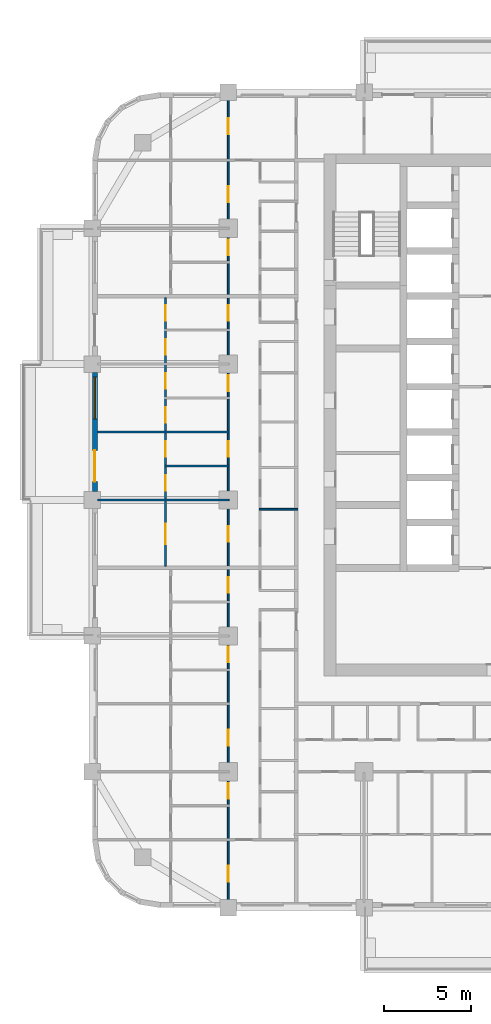
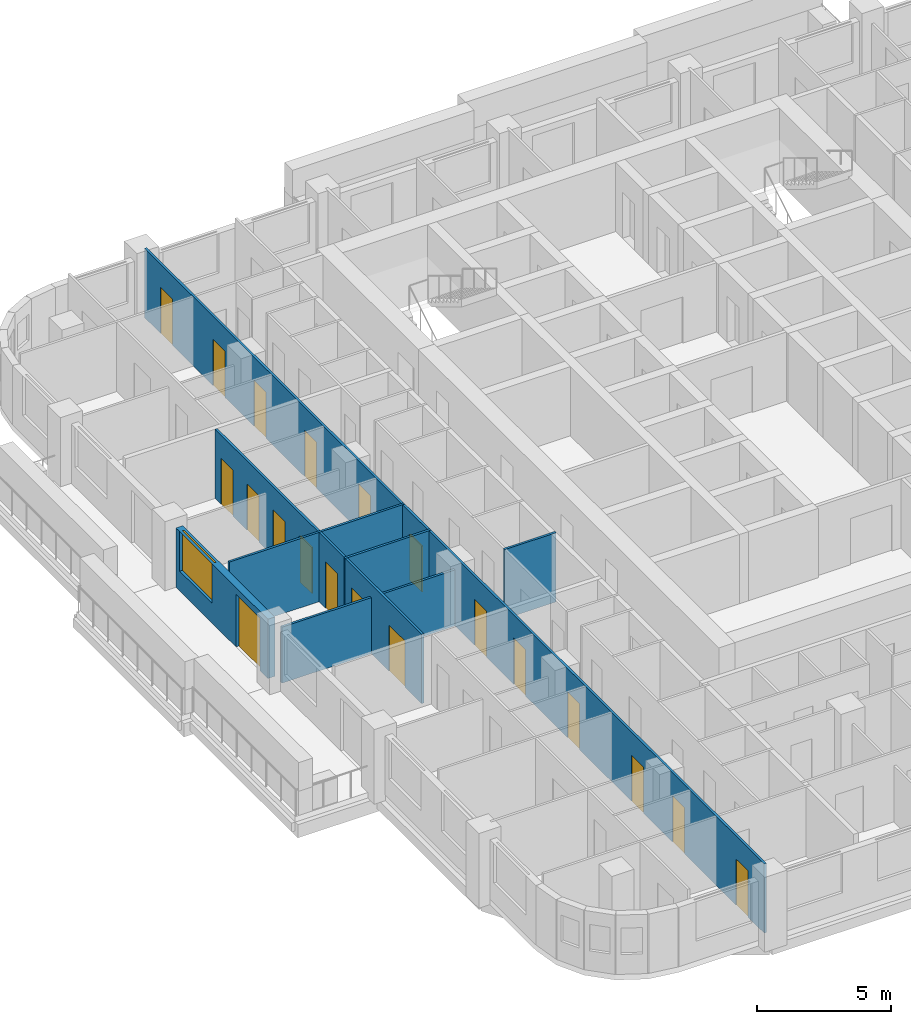
# One storey, part 5 of 17: 20 doors, 7 walls, 1 window, 21 openings.
"""IFC4 building model written with IfcOpenShell, lengths in metres."""

import ifcopenshell
import ifcopenshell.guid

model = None  # the IFC model being written
_history = None  # IfcOwnerHistory: only IFC2X3 demands one
_inside = {}  # id of a spatial element -> (the spatial element, [elements in it])
_under = {}  # id of a project, library or spatial element -> (it, [spatial elements below it])
_declared = {}  # id of a project -> (the project, [libraries it declares])
_typed = {}  # id of a type object -> (the type object, [elements of that type])
_made_of = {}  # id of a material, layer set ... -> (it, [elements and type objects made of it])


def new_model(schema):
    """Start an empty IFC model of exactly this schema.

    Asked for "IFC4X3", IfcOpenShell would pick the latest addendum, in which some entities
    have other attributes; the version numbers below select the first issue.
    IFC2X3 requires an IfcOwnerHistory on every rooted entity: one is made here for all.
    """
    global model, _history
    if schema == "IFC4X3":
        model = ifcopenshell.file(schema_version=(4, 3, 0, 0))
    else:
        model = ifcopenshell.file(schema=schema)
    _inside.clear()
    _under.clear()
    _declared.clear()
    _typed.clear()
    _made_of.clear()
    _history = None
    if model.schema == "IFC2X3":
        org = make("IfcOrganization", Name="unknown")
        user = make(
            "IfcPersonAndOrganization",
            ThePerson=make("IfcPerson", FamilyName="unknown"),
            TheOrganization=org,
        )
        app = make(
            "IfcApplication",
            ApplicationDeveloper=org,
            Version="unknown",
            ApplicationFullName="unknown",
            ApplicationIdentifier="unknown",
        )
        _history = make(
            "IfcOwnerHistory",
            OwningUser=user,
            OwningApplication=app,
            ChangeAction="ADDED",
            CreationDate=0,
        )
    return model


def make(cls, **values):
    """One entity of the class cls with the attributes given. An attribute that is None is left unset."""
    return model.create_entity(
        cls, **{name: value for name, value in values.items() if value is not None}
    )


def rooted(cls, **values):
    """An entity with a GlobalId (a new one), such as an element, a storey or a relation."""
    return make(cls, GlobalId=ifcopenshell.guid.new(), OwnerHistory=_history, **values)


def si_unit(unit_type, name, prefix=None):
    """IfcSIUnit, for example si_unit("LENGTHUNIT", "METRE", prefix="MILLI")."""
    return make("IfcSIUnit", UnitType=unit_type, Prefix=prefix, Name=name)


def assignment(units):
    """IfcUnitAssignment: the units of a project."""
    return None if units is None else make("IfcUnitAssignment", Units=units)


def point(xyz):
    """IfcCartesianPoint."""
    return None if xyz is None else make("IfcCartesianPoint", Coordinates=xyz)


def direction(xyz):
    """IfcDirection."""
    return None if xyz is None else make("IfcDirection", DirectionRatios=xyz)


def frame(location, z_axis=None, x_axis=None):
    """IfcAxis2Placement3D, a coordinate frame: its origin and axes. An axis left out is left unset."""
    return make(
        "IfcAxis2Placement3D",
        Location=point(location),
        Axis=direction(z_axis),
        RefDirection=direction(x_axis),
    )


def frame_2d(location, x_axis=None):
    """IfcAxis2Placement2D, a coordinate frame in the plane: its origin and x axis."""
    return make(
        "IfcAxis2Placement2D", Location=point(location), RefDirection=direction(x_axis)
    )


def origin():
    """The frame at (0, 0, 0) with its axes left unset."""
    return frame((0.0, 0.0, 0.0))


def place(relative_to, where):
    """IfcLocalPlacement: puts the frame where relative to a parent placement (None: the world)."""
    return make(
        "IfcLocalPlacement", PlacementRelTo=relative_to, RelativePlacement=where
    )


def context(
    kind, dimensions, precision=None, world=None, true_north=None, identifier=None
):
    """IfcGeometricRepresentationContext, for example the 3D "Model" context."""
    return make(
        "IfcGeometricRepresentationContext",
        ContextIdentifier=identifier,
        ContextType=kind,
        CoordinateSpaceDimension=dimensions,
        Precision=precision,
        WorldCoordinateSystem=world,
        TrueNorth=true_north,
    )


def subcontext(parent, identifier, kind, view, scale=None):
    """IfcGeometricRepresentationSubContext, for example "Body" below "Model"."""
    return make(
        "IfcGeometricRepresentationSubContext",
        ContextIdentifier=identifier,
        ContextType=kind,
        ParentContext=parent,
        TargetScale=scale,
        TargetView=view,
    )


def project(units=None, contexts=None):
    """IfcProject with its units and contexts."""
    return rooted(
        "IfcProject",
        Name="project",
        RepresentationContexts=contexts,
        UnitsInContext=assignment(units),
    )


def spatial(cls, under=None, at=None, **own):
    """A site, building, storey or space (cls), placed at a placement, below another one or the project."""
    s = rooted(cls, ObjectPlacement=at, **own)
    if under is not None:
        _under.setdefault(under.id(), (under, []))[1].append(s)
    return s


def profile(cls, at=None, kind="AREA", **sizes):
    """A parametric profile (cls). Its sizes go by their IFC names, for example OverallWidth=200.0."""
    return make(cls, ProfileType=kind, Position=at, **sizes)


def rectangle(**sizes):
    """IfcRectangleProfileDef."""
    return profile("IfcRectangleProfileDef", **sizes)


def extrude(swept, where, along, depth):
    """IfcExtrudedAreaSolid: the profile swept, set in the frame where, extruded along a direction by depth."""
    return make(
        "IfcExtrudedAreaSolid",
        SweptArea=swept,
        Position=where,
        ExtrudedDirection=direction(along),
        Depth=depth,
    )


def shape(context_of_items, identifier, shape_type, items):
    """IfcShapeRepresentation: the items that make up one representation, for example the "Body"."""
    return make(
        "IfcShapeRepresentation",
        ContextOfItems=context_of_items,
        RepresentationIdentifier=identifier,
        RepresentationType=shape_type,
        Items=items,
    )


def material(Name=None, Category=None):
    """IfcMaterial."""
    return make("IfcMaterial", Name=Name, Category=Category)


def layer(
    of_material, thickness, ventilated=None, Name=None, Category=None, Priority=None
):
    """IfcMaterialLayer: one layer of a wall or slab, of a material (None: an air gap)."""
    return make(
        "IfcMaterialLayer",
        Material=of_material,
        LayerThickness=thickness,
        IsVentilated=ventilated,
        Name=Name,
        Category=Category,
        Priority=Priority,
    )


def layer_set(layers, Name=None):
    """IfcMaterialLayerSet."""
    return make("IfcMaterialLayerSet", MaterialLayers=layers, LayerSetName=Name)


def made_of(thing, what):
    """Note that an element or type object is made of a material, layer set ...; save() writes the relation."""
    if what is not None:
        _made_of.setdefault(what.id(), (what, []))[1].append(thing)
    return thing


def type_object(cls, material=None, **own):
    """A type object (cls), such as IfcWallType, which elements share."""
    return made_of(rooted(cls, **own), material)


def element(
    cls,
    number,
    at=None,
    inside=None,
    cuts=None,
    type_object=None,
    material=None,
    context=None,
    identifier="Body",
    shape_type=None,
    held_by="IfcProductDefinitionShape",
    body=None,
    shapes=None,
    **own,
):
    """One element of the class cls, such as IfcWall. Its Tag is "e" and its number.

    at: its placement. inside: the storey or other place that contains it. cuts: it is an
    opening in that element (IfcRelVoidsElement). A single representation is given by context,
    identifier, shape_type and body (its items); several are given by shapes. held_by: the class
    of the entity that holds the representations. save() writes the other relations.
    """
    e = rooted(cls, Tag="e%d" % number, ObjectPlacement=at, **own)
    if body is not None:
        shapes = [shape(context, identifier, shape_type, body)]
    if shapes is not None:
        e.Representation = make(held_by, Representations=shapes)
    if inside is not None:
        _inside.setdefault(inside.id(), (inside, []))[1].append(e)
    if cuts is not None:
        rooted(
            "IfcRelVoidsElement", RelatingBuildingElement=cuts, RelatedOpeningElement=e
        )
    if type_object is not None:
        _typed.setdefault(type_object.id(), (type_object, []))[1].append(e)
    return made_of(e, material)


def fill(opening, filler):
    """IfcRelFillsElement: the door or window that sits in an opening."""
    return rooted(
        "IfcRelFillsElement",
        RelatingOpeningElement=opening,
        RelatedBuildingElement=filler,
    )


def aggregate(whole, parts):
    """IfcRelAggregates: a whole, such as a stair, and the parts it consists of."""
    return rooted("IfcRelAggregates", RelatingObject=whole, RelatedObjects=parts)


def save(model, path):
    """Write the relations noted so far, then the file.

    IfcRelAggregates (storeys below a building ...), IfcRelContainedInSpatialStructure (elements
    in a storey), IfcRelDefinesByType, IfcRelAssociatesMaterial and IfcRelDeclares: one each for
    every whole, place, type object, material and project.
    """
    for whole, parts in _under.values():
        aggregate(whole, parts)
    for where, things in _inside.values():
        rooted(
            "IfcRelContainedInSpatialStructure",
            RelatedElements=things,
            RelatingStructure=where,
        )
    for kind, things in _typed.values():
        rooted("IfcRelDefinesByType", RelatedObjects=things, RelatingType=kind)
    for what, things in _made_of.values():
        rooted("IfcRelAssociatesMaterial", RelatedObjects=things, RelatingMaterial=what)
    for by, libraries in _declared.values():
        rooted("IfcRelDeclares", RelatingContext=by, RelatedDefinitions=libraries)
    model.write(path)


model = new_model("IFC4")

# Units and contexts
model_context = context("Model", 3, precision=1e-05, world=origin(), true_north=direction((0.0, 1.0)))
body_context = subcontext(model_context, "Body", "Model", "MODEL_VIEW")
ifc_project = project(units=[si_unit("LENGTHUNIT", "METRE"), si_unit("AREAUNIT", "SQUARE_METRE"), si_unit("VOLUMEUNIT", "CUBIC_METRE"), si_unit("PLANEANGLEUNIT", "RADIAN"), si_unit("MASSUNIT", "GRAM", prefix="KILO")], contexts=[model_context])

# Site, building, storey
site_placement = place(None, origin())
site = spatial("IfcSite", under=ifc_project, at=site_placement, CompositionType="ELEMENT")
building_placement = place(site_placement, origin())
building = spatial("IfcBuilding", under=site, at=building_placement, Name="Ludao Terraces", CompositionType="ELEMENT")
storey_placement = place(building_placement, frame((0.0, 0.0, 88.60009765625)))
storey = spatial("IfcBuildingStorey", under=building, at=storey_placement, Name="L24", CompositionType="ELEMENT", Elevation=88.60009765625)

# Wall, openings, door, window
ifc_material_1 = material(Name="Granite cladding", Category="masonry")
ifc_layer_1 = layer(ifc_material_1, 0.0400390625, Category="stone")
ifc_material_2 = material(Name="Mineral wool")
ifc_layer_2 = layer(ifc_material_2, 0.06005859375)
ifc_material_3 = material(Name="Concrete C40", Category="concrete")
ifc_layer_3 = layer(ifc_material_3, 0.199951171875, Category="concrete")
ifc_layer_set_1 = layer_set([ifc_layer_1, ifc_layer_2, ifc_layer_3], Name="ENV Stone-clad wall 300")
wall_type_1 = type_object("IfcWallType", Name="ENV Stone-clad wall 300", PredefinedType="SOLIDWALL", material=ifc_layer_set_1)
wall_1_placement = place(storey_placement, frame((61.75, 65.47509765625, 0.0), z_axis=(0.0, 0.0, 1.0), x_axis=(0.0, 1.0, 0.0)))
wall_1 = element("IfcWall", 1, at=wall_1_placement, inside=storey, type_object=wall_type_1, Name="EW-L24-W4", PredefinedType="SOLIDWALL", context=body_context, shape_type="SweptSolid", body=[
    extrude(rectangle(XDim=6.849853515625, YDim=0.300048828125, at=frame_2d((3.4248046875, 0.0))), origin(), (0.0, 0.0, 1.0), 2.699951171875),
])
opening_1_placement = place(wall_1_placement, frame((0.574951171875, 0.0, 0.0)))
opening_1 = element("IfcOpeningElement", 2, at=opening_1_placement, cuts=wall_1, Name="Opening BD", PredefinedType="OPENING", context=body_context, shape_type="SweptSolid", body=[
    extrude(rectangle(XDim=1.800048828125, YDim=2.39990234375, at=frame_2d((0.89990234375, 1.199951171875))), frame((0.0, 0.16015625, 0.0), z_axis=(0.0, -1.0, 0.0), x_axis=(1.0, 0.0, 0.0)), (0.0, 0.0, 1.0), 0.320068359375),
])
opening_2_placement = place(wall_1_placement, frame((4.175048828125, 0.0, 0.89990234375)))
opening_2 = element("IfcOpeningElement", 3, at=opening_2_placement, cuts=wall_1, Name="Opening W1", PredefinedType="OPENING", context=body_context, shape_type="SweptSolid", body=[
    extrude(rectangle(XDim=2.39990234375, YDim=1.800048828125, at=frame_2d((1.199951171875, 0.89990234375))), frame((0.0, 0.16015625, 0.0), z_axis=(0.0, -1.0, 0.0), x_axis=(1.0, 0.0, 0.0)), (0.0, 0.0, 1.0), 0.320068359375),
])
ifc_material_4 = material(Name="Aluminium glazed door", Category="aluminium")
ifc_layer_4 = layer(ifc_material_4, 0.06005859375)
ifc_layer_set_2 = layer_set([ifc_layer_4], Name="ENV Balcony door BD 1800x2400")
door_type_1 = type_object("IfcDoorType", Name="ENV Balcony door BD 1800x2400", OperationType="DOUBLE_DOOR_SINGLE_SWING", PredefinedType="DOOR", material=ifc_layer_set_2)
door_1_placement = place(opening_1_placement, origin())
door_1 = element("IfcDoor", 4, at=door_1_placement, inside=storey, type_object=door_type_1, Name="BD-L24-W4-1", OperationType="DOUBLE_DOOR_SINGLE_SWING", OverallHeight=2.39990234375, OverallWidth=1.800048828125, PredefinedType="DOOR", context=body_context, shape_type="SweptSolid", body=[
    extrude(rectangle(XDim=1.800048828125, YDim=2.39990234375, at=frame_2d((0.89990234375, 1.199951171875))), frame((0.0, 0.02490234375, 0.0), z_axis=(0.0, -1.0, 0.0), x_axis=(1.0, 0.0, 0.0)), (0.0, 0.0, 1.0), 0.050048828125),
])
fill(opening_1, door_1)
ifc_material_5 = material(Name="Clear glass in aluminium frame", Category="aluminium")
ifc_layer_5 = layer(ifc_material_5, 0.06005859375)
ifc_layer_set_3 = layer_set([ifc_layer_5], Name="ENV Window W1 2400x1800")
window_type = type_object("IfcWindowType", Name="ENV Window W1 2400x1800", PartitioningType="DOUBLE_PANEL_VERTICAL", PredefinedType="WINDOW", material=ifc_layer_set_3)
window_placement = place(opening_2_placement, origin())
window = element("IfcWindow", 5, at=window_placement, inside=storey, type_object=window_type, Name="W-L24-W4-2", OverallHeight=1.800048828125, OverallWidth=2.39990234375, PartitioningType="DOUBLE_PANEL_VERTICAL", PredefinedType="WINDOW", context=body_context, shape_type="SweptSolid", body=[
    extrude(rectangle(XDim=2.39990234375, YDim=1.800048828125, at=frame_2d((1.199951171875, 0.89990234375))), frame((0.0, 0.030029296875, 0.0), z_axis=(0.0, -1.0, 0.0), x_axis=(1.0, 0.0, 0.0)), (0.0, 0.0, 1.0), 0.06005859375),
])
fill(opening_2, window)

# Walls
ifc_material_6 = material(Name="Gypsum plasterboard", Category="gypsum")
ifc_layer_6 = layer(ifc_material_6, 0.012451171875, Category="gypsum")
ifc_layer_7 = layer(ifc_material_2, 0.06005859375, Name="insulation")
ifc_material_7 = material(Name="Steel Q235", Category="steel")
ifc_layer_8 = layer(ifc_material_7, 0.014892578125, Name="stud")
ifc_layer_9 = layer(ifc_material_6, 0.012451171875, Category="gypsum")
ifc_layer_set_4 = layer_set([ifc_layer_6, ifc_layer_7, ifc_layer_8, ifc_layer_9], Name="INT Partition 100")
wall_type_2 = type_object("IfcWallType", Name="INT Partition 100", PredefinedType="PARTITIONING", material=ifc_layer_set_4)
wall_2_placement = place(storey_placement, frame((71.18017578125, 64.469970703125, 0.0), z_axis=(0.0, 0.0, 1.0), x_axis=(1.0, 0.0, 0.0)))
element("IfcWall", 6, at=wall_2_placement, inside=storey, type_object=wall_type_2, Name="PW-L24-PW037", PredefinedType="PARTITIONING", context=body_context, shape_type="SweptSolid", body=[
    extrude(rectangle(XDim=2.219970703125, YDim=0.10009765625, at=frame_2d((1.10986328125, 0.0))), origin(), (0.0, 0.0, 1.0), 3.14990234375),
])
wall_3_placement = place(storey_placement, frame((61.900146484375, 65.0, 0.0), z_axis=(0.0, 0.0, 1.0), x_axis=(1.0, 0.0, 0.0)))
element("IfcWall", 7, at=wall_3_placement, inside=storey, type_object=wall_type_2, Name="PW-L24-PW038", PredefinedType="PARTITIONING", context=body_context, shape_type="SweptSolid", body=[
    extrude(rectangle(XDim=7.550048828125, YDim=0.10009765625, at=frame_2d((3.77490234375, 0.0))), origin(), (0.0, 0.0, 1.0), 2.5498046875),
])
wall_4_placement = place(storey_placement, frame((65.75, 66.949951171875, 0.0), z_axis=(0.0, 0.0, 1.0), x_axis=(1.0, 0.0, 0.0)))
element("IfcWall", 8, at=wall_4_placement, inside=storey, type_object=wall_type_2, Name="PW-L24-PW043", PredefinedType="PARTITIONING", context=body_context, shape_type="SweptSolid", body=[
    extrude(rectangle(XDim=3.7001953125, YDim=0.10009765625, at=frame_2d((1.85009765625, 0.0))), origin(), (0.0, 0.0, 1.0), 3.14990234375),
])
wall_5_placement = place(storey_placement, frame((61.900146484375, 68.89990234375, 0.0), z_axis=(0.0, 0.0, 1.0), x_axis=(1.0, 0.0, 0.0)))
element("IfcWall", 9, at=wall_5_placement, inside=storey, type_object=wall_type_2, Name="PW-L24-PW045", PredefinedType="PARTITIONING", context=body_context, shape_type="SweptSolid", body=[
    extrude(rectangle(XDim=7.550048828125, YDim=0.10009765625, at=frame_2d((3.77490234375, 0.0))), origin(), (0.0, 0.0, 1.0), 3.14990234375),
])

# Wall, openings, doors
wall_6_placement = place(storey_placement, frame((65.800048828125, 61.2001953125, 0.0), z_axis=(0.0, 0.0, 1.0), x_axis=(0.0, 1.0, 0.0)))
wall_6 = element("IfcWall", 10, at=wall_6_placement, inside=storey, type_object=wall_type_2, Name="PW-L24-PW079", PredefinedType="PARTITIONING", context=body_context, shape_type="SweptSolid", body=[
    extrude(rectangle(XDim=15.39990234375, YDim=0.10009765625, at=frame_2d((7.699951171875, 0.0))), origin(), (0.0, 0.0, 1.0), 3.14990234375),
])
opening_3_placement = place(wall_6_placement, frame((1.25, 0.0, 0.0)))
opening_3 = element("IfcOpeningElement", 11, at=opening_3_placement, cuts=wall_6, Name="Opening R07-078", PredefinedType="OPENING", context=body_context, shape_type="SweptSolid", body=[
    extrude(rectangle(XDim=1.199951171875, YDim=2.10009765625, at=frame_2d((0.60009765625, 1.050048828125))), frame((0.0, 0.06005859375, 0.0), z_axis=(0.0, -1.0, 0.0), x_axis=(1.0, 0.0, 0.0)), (0.0, 0.0, 1.0), 0.1201171875),
])
opening_4_placement = place(wall_6_placement, frame((4.324951171875, 0.0, 0.0)))
opening_4 = element("IfcOpeningElement", 12, at=opening_4_placement, cuts=wall_6, Name="Opening R07-086", PredefinedType="OPENING", context=body_context, shape_type="SweptSolid", body=[
    extrude(rectangle(XDim=0.89990234375, YDim=2.10009765625, at=frame_2d((0.449951171875, 1.050048828125))), frame((0.0, 0.06005859375, 0.0), z_axis=(0.0, -1.0, 0.0), x_axis=(1.0, 0.0, 0.0)), (0.0, 0.0, 1.0), 0.1201171875),
])
opening_5_placement = place(wall_6_placement, frame((6.27490234375, 0.0, 0.0)))
opening_5 = element("IfcOpeningElement", 13, at=opening_5_placement, cuts=wall_6, Name="Opening R07-094", PredefinedType="OPENING", context=body_context, shape_type="SweptSolid", body=[
    extrude(rectangle(XDim=0.89990234375, YDim=2.10009765625, at=frame_2d((0.449951171875, 1.050048828125))), frame((0.0, 0.06005859375, 0.0), z_axis=(0.0, -1.0, 0.0), x_axis=(1.0, 0.0, 0.0)), (0.0, 0.0, 1.0), 0.1201171875),
])
opening_6_placement = place(wall_6_placement, frame((8.224853515625, 0.0, 0.0)))
opening_6 = element("IfcOpeningElement", 14, at=opening_6_placement, cuts=wall_6, Name="Opening R07-098", PredefinedType="OPENING", context=body_context, shape_type="SweptSolid", body=[
    extrude(rectangle(XDim=0.89990234375, YDim=2.10009765625, at=frame_2d((0.449951171875, 1.050048828125))), frame((0.0, 0.06005859375, 0.0), z_axis=(0.0, -1.0, 0.0), x_axis=(1.0, 0.0, 0.0)), (0.0, 0.0, 1.0), 0.1201171875),
])
opening_7_placement = place(wall_6_placement, frame((10.1748046875, 0.0, 0.0)))
opening_7 = element("IfcOpeningElement", 15, at=opening_7_placement, cuts=wall_6, Name="Opening R07-106", PredefinedType="OPENING", context=body_context, shape_type="SweptSolid", body=[
    extrude(rectangle(XDim=0.89990234375, YDim=2.10009765625, at=frame_2d((0.449951171875, 1.050048828125))), frame((0.0, 0.06005859375, 0.0), z_axis=(0.0, -1.0, 0.0), x_axis=(1.0, 0.0, 0.0)), (0.0, 0.0, 1.0), 0.1201171875),
])
opening_8_placement = place(wall_6_placement, frame((12.125, 0.0, 0.0)))
opening_8 = element("IfcOpeningElement", 16, at=opening_8_placement, cuts=wall_6, Name="Opening R07-113", PredefinedType="OPENING", context=body_context, shape_type="SweptSolid", body=[
    extrude(rectangle(XDim=0.89990234375, YDim=2.10009765625, at=frame_2d((0.449951171875, 1.050048828125))), frame((0.0, 0.06005859375, 0.0), z_axis=(0.0, -1.0, 0.0), x_axis=(1.0, 0.0, 0.0)), (0.0, 0.0, 1.0), 0.1201171875),
])
opening_9_placement = place(wall_6_placement, frame((14.074951171875, 0.0, 0.0)))
opening_9 = element("IfcOpeningElement", 17, at=opening_9_placement, cuts=wall_6, Name="Opening R07-121", PredefinedType="OPENING", context=body_context, shape_type="SweptSolid", body=[
    extrude(rectangle(XDim=0.89990234375, YDim=2.10009765625, at=frame_2d((0.449951171875, 1.050048828125))), frame((0.0, 0.06005859375, 0.0), z_axis=(0.0, -1.0, 0.0), x_axis=(1.0, 0.0, 0.0)), (0.0, 0.0, 1.0), 0.1201171875),
])
ifc_material_8 = material(Name="Timber door leaf", Category="wood")
door_type_2 = type_object("IfcDoorType", Name="INT Bathroom door 900", OperationType="SINGLE_SWING_LEFT", PredefinedType="DOOR", material=ifc_material_8)
door_2_placement = place(opening_4_placement, origin())
door_2 = element("IfcDoor", 18, at=door_2_placement, inside=storey, type_object=door_type_2, Name="DOOR 086", OperationType="SINGLE_SWING_LEFT", OverallHeight=2.10009765625, OverallWidth=0.89990234375, PredefinedType="DOOR", context=body_context, shape_type="SweptSolid", body=[
    extrude(rectangle(XDim=0.89990234375, YDim=2.10009765625, at=frame_2d((0.449951171875, 1.050048828125))), frame((0.0, 0.02490234375, 0.0), z_axis=(0.0, -1.0, 0.0), x_axis=(1.0, 0.0, 0.0)), (0.0, 0.0, 1.0), 0.050048828125),
])
fill(opening_4, door_2)
door_3_placement = place(opening_6_placement, origin())
door_3 = element("IfcDoor", 19, at=door_3_placement, inside=storey, type_object=door_type_2, Name="DOOR 098", OperationType="SINGLE_SWING_RIGHT", OverallHeight=2.10009765625, OverallWidth=0.89990234375, PredefinedType="DOOR", context=body_context, shape_type="SweptSolid", body=[
    extrude(rectangle(XDim=0.89990234375, YDim=2.10009765625, at=frame_2d((0.449951171875, 1.050048828125))), frame((0.0, 0.02490234375, 0.0), z_axis=(0.0, -1.0, 0.0), x_axis=(1.0, 0.0, 0.0)), (0.0, 0.0, 1.0), 0.050048828125),
])
fill(opening_6, door_3)
door_4_placement = place(opening_8_placement, origin())
door_4 = element("IfcDoor", 20, at=door_4_placement, inside=storey, type_object=door_type_2, Name="DOOR 113", OperationType="SINGLE_SWING_RIGHT", OverallHeight=2.10009765625, OverallWidth=0.89990234375, PredefinedType="DOOR", context=body_context, shape_type="SweptSolid", body=[
    extrude(rectangle(XDim=0.89990234375, YDim=2.10009765625, at=frame_2d((0.449951171875, 1.050048828125))), frame((0.0, 0.02490234375, 0.0), z_axis=(0.0, -1.0, 0.0), x_axis=(1.0, 0.0, 0.0)), (0.0, 0.0, 1.0), 0.050048828125),
])
fill(opening_8, door_4)
door_type_3 = type_object("IfcDoorType", Name="INT Double door 1200", OperationType="DOUBLE_DOOR_SINGLE_SWING", PredefinedType="DOOR", material=ifc_material_8)
door_5_placement = place(opening_3_placement, origin())
door_5 = element("IfcDoor", 21, at=door_5_placement, inside=storey, type_object=door_type_3, Name="DOOR 078", OperationType="DOUBLE_DOOR_SINGLE_SWING", OverallHeight=2.10009765625, OverallWidth=1.199951171875, PredefinedType="DOOR", context=body_context, shape_type="SweptSolid", body=[
    extrude(rectangle(XDim=1.199951171875, YDim=2.10009765625, at=frame_2d((0.60009765625, 1.050048828125))), frame((0.0, 0.02490234375, 0.0), z_axis=(0.0, -1.0, 0.0), x_axis=(1.0, 0.0, 0.0)), (0.0, 0.0, 1.0), 0.050048828125),
])
fill(opening_3, door_5)
door_type_4 = type_object("IfcDoorType", Name="INT Room door 900", OperationType="SINGLE_SWING_LEFT", PredefinedType="DOOR", material=ifc_material_8)
door_6_placement = place(opening_5_placement, origin())
door_6 = element("IfcDoor", 22, at=door_6_placement, inside=storey, type_object=door_type_4, Name="DOOR 094", OperationType="SINGLE_SWING_RIGHT", OverallHeight=2.10009765625, OverallWidth=0.89990234375, PredefinedType="DOOR", context=body_context, shape_type="SweptSolid", body=[
    extrude(rectangle(XDim=0.89990234375, YDim=2.10009765625, at=frame_2d((0.449951171875, 1.050048828125))), frame((0.0, 0.02490234375, 0.0), z_axis=(0.0, -1.0, 0.0), x_axis=(1.0, 0.0, 0.0)), (0.0, 0.0, 1.0), 0.050048828125),
])
fill(opening_5, door_6)
door_7_placement = place(opening_7_placement, origin())
door_7 = element("IfcDoor", 23, at=door_7_placement, inside=storey, type_object=door_type_4, Name="DOOR 106", OperationType="SINGLE_SWING_LEFT", OverallHeight=2.10009765625, OverallWidth=0.89990234375, PredefinedType="DOOR", context=body_context, shape_type="SweptSolid", body=[
    extrude(rectangle(XDim=0.89990234375, YDim=2.10009765625, at=frame_2d((0.449951171875, 1.050048828125))), frame((0.0, 0.02490234375, 0.0), z_axis=(0.0, -1.0, 0.0), x_axis=(1.0, 0.0, 0.0)), (0.0, 0.0, 1.0), 0.050048828125),
])
fill(opening_7, door_7)
door_8_placement = place(opening_9_placement, origin())
door_8 = element("IfcDoor", 24, at=door_8_placement, inside=storey, type_object=door_type_4, Name="DOOR 121", OperationType="SINGLE_SWING_LEFT", OverallHeight=2.10009765625, OverallWidth=0.89990234375, PredefinedType="DOOR", context=body_context, shape_type="SweptSolid", body=[
    extrude(rectangle(XDim=0.89990234375, YDim=2.10009765625, at=frame_2d((0.449951171875, 1.050048828125))), frame((0.0, 0.02490234375, 0.0), z_axis=(0.0, -1.0, 0.0), x_axis=(1.0, 0.0, 0.0)), (0.0, 0.0, 1.0), 0.050048828125),
])
fill(opening_9, door_8)

wall_7_placement = place(storey_placement, frame((69.39990234375, 41.900146484375, 0.0), z_axis=(0.0, 0.0, 1.0), x_axis=(0.0, 1.0, 0.0)))
wall_7 = element("IfcWall", 25, at=wall_7_placement, inside=storey, type_object=wall_type_2, Name="PW-L24-PW082", PredefinedType="PARTITIONING", context=body_context, shape_type="SweptSolid", body=[
    extrude(rectangle(XDim=46.199951171875, YDim=0.10009765625, at=frame_2d((23.10009765625, 0.0))), origin(), (0.0, 0.0, 1.0), 3.14990234375),
])
opening_10_placement = place(wall_7_placement, frame((1.199951171875, 0.0, 0.0)))
opening_10 = element("IfcOpeningElement", 26, at=opening_10_placement, cuts=wall_7, Name="Opening R07-002", PredefinedType="OPENING", context=body_context, shape_type="SweptSolid", body=[
    extrude(rectangle(XDim=0.89990234375, YDim=2.10009765625, at=frame_2d((0.449951171875, 1.050048828125))), frame((0.0, 0.06005859375, 0.0), z_axis=(0.0, -1.0, 0.0), x_axis=(1.0, 0.0, 0.0)), (0.0, 0.0, 1.0), 0.1201171875),
])
opening_11_placement = place(wall_7_placement, frame((5.949951171875, 0.0, 0.0)))
opening_11 = element("IfcOpeningElement", 27, at=opening_11_placement, cuts=wall_7, Name="Opening R07-022", PredefinedType="OPENING", context=body_context, shape_type="SweptSolid", body=[
    extrude(rectangle(XDim=0.89990234375, YDim=2.10009765625, at=frame_2d((0.449951171875, 1.050048828125))), frame((0.0, 0.06005859375, 0.0), z_axis=(0.0, -1.0, 0.0), x_axis=(1.0, 0.0, 0.0)), (0.0, 0.0, 1.0), 0.1201171875),
])
opening_12_placement = place(wall_7_placement, frame((9.0, 0.0, 0.0)))
opening_12 = element("IfcOpeningElement", 28, at=opening_12_placement, cuts=wall_7, Name="Opening R07-042", PredefinedType="OPENING", context=body_context, shape_type="SweptSolid", body=[
    extrude(rectangle(XDim=0.89990234375, YDim=2.10009765625, at=frame_2d((0.449951171875, 1.050048828125))), frame((0.0, 0.06005859375, 0.0), z_axis=(0.0, -1.0, 0.0), x_axis=(1.0, 0.0, 0.0)), (0.0, 0.0, 1.0), 0.1201171875),
])
opening_13_placement = place(wall_7_placement, frame((13.77490234375, 0.0, 0.0)))
opening_13 = element("IfcOpeningElement", 29, at=opening_13_placement, cuts=wall_7, Name="Opening R07-054", PredefinedType="OPENING", context=body_context, shape_type="SweptSolid", body=[
    extrude(rectangle(XDim=0.89990234375, YDim=2.10009765625, at=frame_2d((0.449951171875, 1.050048828125))), frame((0.0, 0.06005859375, 0.0), z_axis=(0.0, -1.0, 0.0), x_axis=(1.0, 0.0, 0.0)), (0.0, 0.0, 1.0), 0.1201171875),
])
opening_14_placement = place(wall_7_placement, frame((17.77490234375, 0.0, 0.0)))
opening_14 = element("IfcOpeningElement", 30, at=opening_14_placement, cuts=wall_7, Name="Opening R07-067", PredefinedType="OPENING", context=body_context, shape_type="SweptSolid", body=[
    extrude(rectangle(XDim=0.89990234375, YDim=2.10009765625, at=frame_2d((0.449951171875, 1.050048828125))), frame((0.0, 0.06005859375, 0.0), z_axis=(0.0, -1.0, 0.0), x_axis=(1.0, 0.0, 0.0)), (0.0, 0.0, 1.0), 0.1201171875),
])
opening_15_placement = place(wall_7_placement, frame((20.699951171875, 0.0, 0.0)))
opening_15 = element("IfcOpeningElement", 31, at=opening_15_placement, cuts=wall_7, Name="Opening R07-079", PredefinedType="OPENING", context=body_context, shape_type="SweptSolid", body=[
    extrude(rectangle(XDim=0.89990234375, YDim=2.10009765625, at=frame_2d((0.449951171875, 1.050048828125))), frame((0.0, 0.06005859375, 0.0), z_axis=(0.0, -1.0, 0.0), x_axis=(1.0, 0.0, 0.0)), (0.0, 0.0, 1.0), 0.1201171875),
])
opening_16_placement = place(wall_7_placement, frame((25.574951171875, 0.0, 0.0)))
opening_16 = element("IfcOpeningElement", 32, at=opening_16_placement, cuts=wall_7, Name="Opening R07-095", PredefinedType="OPENING", context=body_context, shape_type="SweptSolid", body=[
    extrude(rectangle(XDim=0.89990234375, YDim=2.10009765625, at=frame_2d((0.449951171875, 1.050048828125))), frame((0.0, 0.06005859375, 0.0), z_axis=(0.0, -1.0, 0.0), x_axis=(1.0, 0.0, 0.0)), (0.0, 0.0, 1.0), 0.1201171875),
])
opening_17_placement = place(wall_7_placement, frame((29.35009765625, 0.0, 0.0)))
opening_17 = element("IfcOpeningElement", 33, at=opening_17_placement, cuts=wall_7, Name="Opening R07-104", PredefinedType="OPENING", context=body_context, shape_type="SweptSolid", body=[
    extrude(rectangle(XDim=0.89990234375, YDim=2.10009765625, at=frame_2d((0.449951171875, 1.050048828125))), frame((0.0, 0.06005859375, 0.0), z_axis=(0.0, -1.0, 0.0), x_axis=(1.0, 0.0, 0.0)), (0.0, 0.0, 1.0), 0.1201171875),
])
opening_18_placement = place(wall_7_placement, frame((33.375, 0.0, 0.0)))
opening_18 = element("IfcOpeningElement", 34, at=opening_18_placement, cuts=wall_7, Name="Opening R07-122", PredefinedType="OPENING", context=body_context, shape_type="SweptSolid", body=[
    extrude(rectangle(XDim=0.89990234375, YDim=2.10009765625, at=frame_2d((0.449951171875, 1.050048828125))), frame((0.0, 0.06005859375, 0.0), z_axis=(0.0, -1.0, 0.0), x_axis=(1.0, 0.0, 0.0)), (0.0, 0.0, 1.0), 0.1201171875),
])
opening_19_placement = place(wall_7_placement, frame((37.14990234375, 0.0, 0.0)))
opening_19 = element("IfcOpeningElement", 35, at=opening_19_placement, cuts=wall_7, Name="Opening R07-137", PredefinedType="OPENING", context=body_context, shape_type="SweptSolid", body=[
    extrude(rectangle(XDim=0.89990234375, YDim=2.10009765625, at=frame_2d((0.449951171875, 1.050048828125))), frame((0.0, 0.06005859375, 0.0), z_axis=(0.0, -1.0, 0.0), x_axis=(1.0, 0.0, 0.0)), (0.0, 0.0, 1.0), 0.1201171875),
])
opening_20_placement = place(wall_7_placement, frame((40.199951171875, 0.0, 0.0)))
opening_20 = element("IfcOpeningElement", 36, at=opening_20_placement, cuts=wall_7, Name="Opening R07-146", PredefinedType="OPENING", context=body_context, shape_type="SweptSolid", body=[
    extrude(rectangle(XDim=0.89990234375, YDim=2.10009765625, at=frame_2d((0.449951171875, 1.050048828125))), frame((0.0, 0.06005859375, 0.0), z_axis=(0.0, -1.0, 0.0), x_axis=(1.0, 0.0, 0.0)), (0.0, 0.0, 1.0), 0.1201171875),
])
opening_21_placement = place(wall_7_placement, frame((44.10009765625, 0.0, 0.0)))
opening_21 = element("IfcOpeningElement", 37, at=opening_21_placement, cuts=wall_7, Name="Opening R07-156", PredefinedType="OPENING", context=body_context, shape_type="SweptSolid", body=[
    extrude(rectangle(XDim=0.89990234375, YDim=2.10009765625, at=frame_2d((0.449951171875, 1.050048828125))), frame((0.0, 0.06005859375, 0.0), z_axis=(0.0, -1.0, 0.0), x_axis=(1.0, 0.0, 0.0)), (0.0, 0.0, 1.0), 0.1201171875),
])
door_9_placement = place(opening_10_placement, origin())
door_9 = element("IfcDoor", 38, at=door_9_placement, inside=storey, type_object=door_type_4, Name="DOOR 002", OperationType="SINGLE_SWING_LEFT", OverallHeight=2.10009765625, OverallWidth=0.89990234375, PredefinedType="DOOR", context=body_context, shape_type="SweptSolid", body=[
    extrude(rectangle(XDim=0.89990234375, YDim=2.10009765625, at=frame_2d((0.449951171875, 1.050048828125))), frame((0.0, 0.02490234375, 0.0), z_axis=(0.0, -1.0, 0.0), x_axis=(1.0, 0.0, 0.0)), (0.0, 0.0, 1.0), 0.050048828125),
])
fill(opening_10, door_9)
door_10_placement = place(opening_11_placement, origin())
door_10 = element("IfcDoor", 39, at=door_10_placement, inside=storey, type_object=door_type_4, Name="DOOR 022", OperationType="SINGLE_SWING_LEFT", OverallHeight=2.10009765625, OverallWidth=0.89990234375, PredefinedType="DOOR", context=body_context, shape_type="SweptSolid", body=[
    extrude(rectangle(XDim=0.89990234375, YDim=2.10009765625, at=frame_2d((0.449951171875, 1.050048828125))), frame((0.0, 0.02490234375, 0.0), z_axis=(0.0, -1.0, 0.0), x_axis=(1.0, 0.0, 0.0)), (0.0, 0.0, 1.0), 0.050048828125),
])
fill(opening_11, door_10)
door_11_placement = place(opening_12_placement, origin())
door_11 = element("IfcDoor", 40, at=door_11_placement, inside=storey, type_object=door_type_4, Name="DOOR 042", OperationType="SINGLE_SWING_RIGHT", OverallHeight=2.10009765625, OverallWidth=0.89990234375, PredefinedType="DOOR", context=body_context, shape_type="SweptSolid", body=[
    extrude(rectangle(XDim=0.89990234375, YDim=2.10009765625, at=frame_2d((0.449951171875, 1.050048828125))), frame((0.0, 0.02490234375, 0.0), z_axis=(0.0, -1.0, 0.0), x_axis=(1.0, 0.0, 0.0)), (0.0, 0.0, 1.0), 0.050048828125),
])
fill(opening_12, door_11)
door_12_placement = place(opening_13_placement, origin())
door_12 = element("IfcDoor", 41, at=door_12_placement, inside=storey, type_object=door_type_4, Name="DOOR 054", OperationType="SINGLE_SWING_LEFT", OverallHeight=2.10009765625, OverallWidth=0.89990234375, PredefinedType="DOOR", context=body_context, shape_type="SweptSolid", body=[
    extrude(rectangle(XDim=0.89990234375, YDim=2.10009765625, at=frame_2d((0.449951171875, 1.050048828125))), frame((0.0, 0.02490234375, 0.0), z_axis=(0.0, -1.0, 0.0), x_axis=(1.0, 0.0, 0.0)), (0.0, 0.0, 1.0), 0.050048828125),
])
fill(opening_13, door_12)
door_13_placement = place(opening_14_placement, origin())
door_13 = element("IfcDoor", 42, at=door_13_placement, inside=storey, type_object=door_type_4, Name="DOOR 067", OperationType="SINGLE_SWING_RIGHT", OverallHeight=2.10009765625, OverallWidth=0.89990234375, PredefinedType="DOOR", context=body_context, shape_type="SweptSolid", body=[
    extrude(rectangle(XDim=0.89990234375, YDim=2.10009765625, at=frame_2d((0.449951171875, 1.050048828125))), frame((0.0, 0.02490234375, 0.0), z_axis=(0.0, -1.0, 0.0), x_axis=(1.0, 0.0, 0.0)), (0.0, 0.0, 1.0), 0.050048828125),
])
fill(opening_14, door_13)
door_14_placement = place(opening_15_placement, origin())
door_14 = element("IfcDoor", 43, at=door_14_placement, inside=storey, type_object=door_type_4, Name="DOOR 079", OperationType="SINGLE_SWING_LEFT", OverallHeight=2.10009765625, OverallWidth=0.89990234375, PredefinedType="DOOR", context=body_context, shape_type="SweptSolid", body=[
    extrude(rectangle(XDim=0.89990234375, YDim=2.10009765625, at=frame_2d((0.449951171875, 1.050048828125))), frame((0.0, 0.02490234375, 0.0), z_axis=(0.0, -1.0, 0.0), x_axis=(1.0, 0.0, 0.0)), (0.0, 0.0, 1.0), 0.050048828125),
])
fill(opening_15, door_14)
door_15_placement = place(opening_16_placement, origin())
door_15 = element("IfcDoor", 44, at=door_15_placement, inside=storey, type_object=door_type_4, Name="DOOR 095", OperationType="SINGLE_SWING_LEFT", OverallHeight=2.10009765625, OverallWidth=0.89990234375, PredefinedType="DOOR", context=body_context, shape_type="SweptSolid", body=[
    extrude(rectangle(XDim=0.89990234375, YDim=2.10009765625, at=frame_2d((0.449951171875, 1.050048828125))), frame((0.0, 0.02490234375, 0.0), z_axis=(0.0, -1.0, 0.0), x_axis=(1.0, 0.0, 0.0)), (0.0, 0.0, 1.0), 0.050048828125),
])
fill(opening_16, door_15)
door_16_placement = place(opening_17_placement, origin())
door_16 = element("IfcDoor", 45, at=door_16_placement, inside=storey, type_object=door_type_4, Name="DOOR 104", OperationType="SINGLE_SWING_LEFT", OverallHeight=2.10009765625, OverallWidth=0.89990234375, PredefinedType="DOOR", context=body_context, shape_type="SweptSolid", body=[
    extrude(rectangle(XDim=0.89990234375, YDim=2.10009765625, at=frame_2d((0.449951171875, 1.050048828125))), frame((0.0, 0.02490234375, 0.0), z_axis=(0.0, -1.0, 0.0), x_axis=(1.0, 0.0, 0.0)), (0.0, 0.0, 1.0), 0.050048828125),
])
fill(opening_17, door_16)
door_17_placement = place(opening_18_placement, origin())
door_17 = element("IfcDoor", 46, at=door_17_placement, inside=storey, type_object=door_type_4, Name="DOOR 122", OperationType="SINGLE_SWING_RIGHT", OverallHeight=2.10009765625, OverallWidth=0.89990234375, PredefinedType="DOOR", context=body_context, shape_type="SweptSolid", body=[
    extrude(rectangle(XDim=0.89990234375, YDim=2.10009765625, at=frame_2d((0.449951171875, 1.050048828125))), frame((0.0, 0.02490234375, 0.0), z_axis=(0.0, -1.0, 0.0), x_axis=(1.0, 0.0, 0.0)), (0.0, 0.0, 1.0), 0.050048828125),
])
fill(opening_18, door_17)
door_18_placement = place(opening_19_placement, origin())
door_18 = element("IfcDoor", 47, at=door_18_placement, inside=storey, type_object=door_type_4, Name="DOOR 137", OperationType="SINGLE_SWING_LEFT", OverallHeight=2.10009765625, OverallWidth=0.89990234375, PredefinedType="DOOR", context=body_context, shape_type="SweptSolid", body=[
    extrude(rectangle(XDim=0.89990234375, YDim=2.10009765625, at=frame_2d((0.449951171875, 1.050048828125))), frame((0.0, 0.02490234375, 0.0), z_axis=(0.0, -1.0, 0.0), x_axis=(1.0, 0.0, 0.0)), (0.0, 0.0, 1.0), 0.050048828125),
])
fill(opening_19, door_18)
door_19_placement = place(opening_20_placement, origin())
door_19 = element("IfcDoor", 48, at=door_19_placement, inside=storey, type_object=door_type_4, Name="DOOR 146", OperationType="SINGLE_SWING_RIGHT", OverallHeight=2.10009765625, OverallWidth=0.89990234375, PredefinedType="DOOR", context=body_context, shape_type="SweptSolid", body=[
    extrude(rectangle(XDim=0.89990234375, YDim=2.10009765625, at=frame_2d((0.449951171875, 1.050048828125))), frame((0.0, 0.02490234375, 0.0), z_axis=(0.0, -1.0, 0.0), x_axis=(1.0, 0.0, 0.0)), (0.0, 0.0, 1.0), 0.050048828125),
])
fill(opening_20, door_19)
door_20_placement = place(opening_21_placement, origin())
door_20 = element("IfcDoor", 49, at=door_20_placement, inside=storey, type_object=door_type_4, Name="DOOR 156", OperationType="SINGLE_SWING_RIGHT", OverallHeight=2.10009765625, OverallWidth=0.89990234375, PredefinedType="DOOR", context=body_context, shape_type="SweptSolid", body=[
    extrude(rectangle(XDim=0.89990234375, YDim=2.10009765625, at=frame_2d((0.449951171875, 1.050048828125))), frame((0.0, 0.02490234375, 0.0), z_axis=(0.0, -1.0, 0.0), x_axis=(1.0, 0.0, 0.0)), (0.0, 0.0, 1.0), 0.050048828125),
])
fill(opening_21, door_20)

save(model, "model.ifc")
